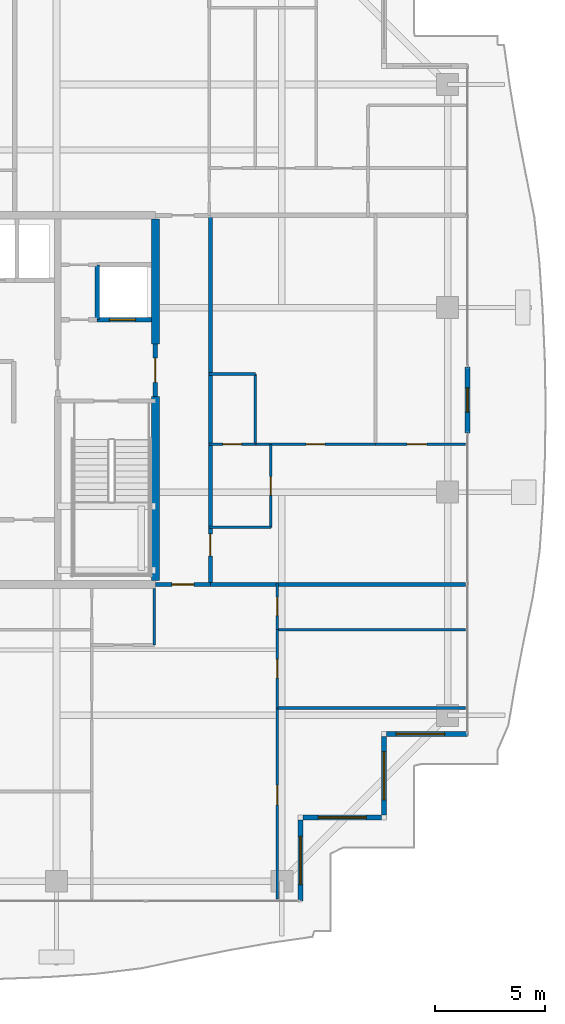
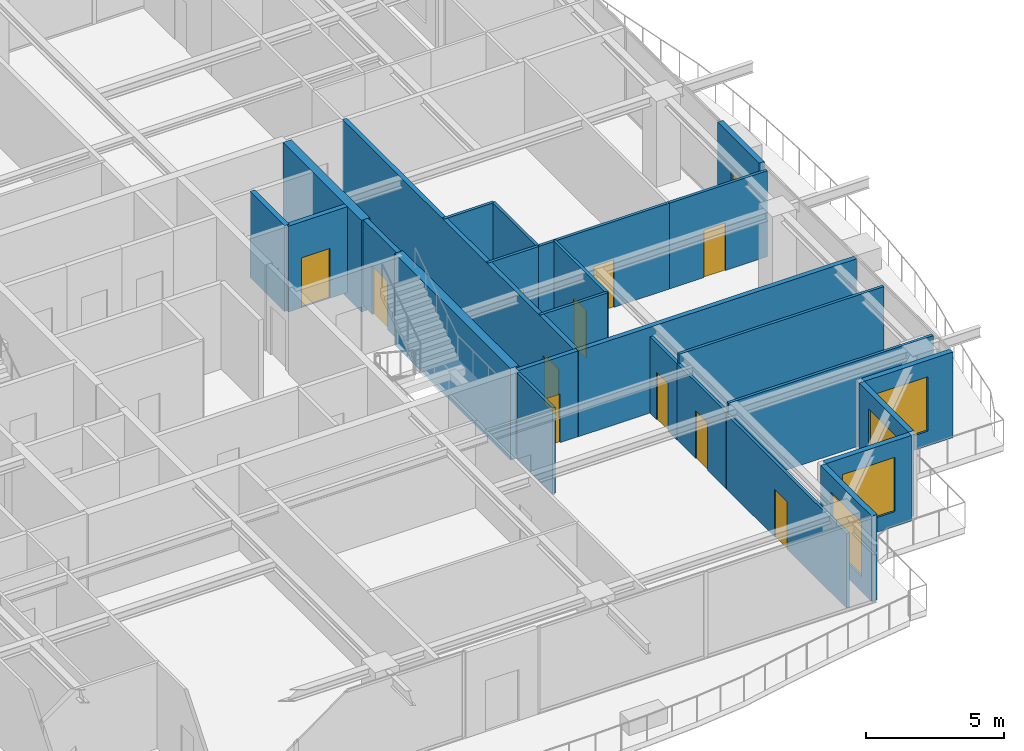
# One storey, part 33 of 42: 26 walls, 12 doors, 4 windows, 16 openings.
"""IFC4 building model written with IfcOpenShell, lengths in metres."""

from ifc_helpers import new_model, si_unit, direction, frame, frame_2d, origin, place, context, subcontext, project, spatial, rectangle, extrude, source, transform, mapped, material, layer, layer_set, type_object, element, fill, save


model = new_model("IFC4")

# Units and contexts
model_context = context("Model", 3, precision=1e-05, world=origin(), true_north=direction((0.0, 1.0)))
body_context = subcontext(model_context, "Body", "Model", "MODEL_VIEW")
ifc_project = project(units=[si_unit("LENGTHUNIT", "METRE"), si_unit("AREAUNIT", "SQUARE_METRE"), si_unit("VOLUMEUNIT", "CUBIC_METRE"), si_unit("PLANEANGLEUNIT", "RADIAN"), si_unit("MASSUNIT", "GRAM", prefix="KILO")], contexts=[model_context])

# Site, building, storey
site_placement = place(None, origin())
site = spatial("IfcSite", under=ifc_project, at=site_placement, CompositionType="ELEMENT")
building_placement = place(site_placement, origin())
building = spatial("IfcBuilding", under=site, at=building_placement, Name="Serunith Strait Residences", CompositionType="ELEMENT")
storey_placement = place(building_placement, frame((0.0, 0.0, 293.449951171875)))
storey = spatial("IfcBuildingStorey", under=building, at=storey_placement, Name="L73", CompositionType="ELEMENT", Elevation=293.449951171875)

# Wall, opening, window
ifc_material_1 = material(Name="Pale-Champagne Aluminium Insulated Panel", Category="aluminium")
ifc_layer_1 = layer(ifc_material_1, 0.219970703125, Name="Pale-Champagne Aluminium Insulated Panel")
ifc_layer_set_1 = layer_set([ifc_layer_1], Name="Pale-Champagne Aluminium Insulated Panel")
wall_type_1 = type_object("IfcWallType", Name="EW-ALUM-220", PredefinedType="ELEMENTEDWALL", material=ifc_layer_set_1)
wall_1_placement = place(storey_placement, frame((48.0, 2.39990234375, 0.0), z_axis=(0.0, 0.0, 1.0), x_axis=(0.0, 1.0, 0.0)))
wall_1 = element("IfcWall", 1, at=wall_1_placement, inside=storey, type_object=wall_type_1, Name="L73 Girih Serrated Corner Wall 02", PredefinedType="ELEMENTEDWALL", context=body_context, shape_type="SweptSolid", body=[
    extrude(rectangle(XDim=3.690185546875, YDim=0.219970703125, at=frame_2d((1.84521484375, 0.0))), origin(), (0.0, 0.0, 1.0), 3.775146484375),
])
opening_1_placement = place(wall_1_placement, frame((0.7451171875, 0.0, 0.64990234375)))
opening_1 = element("IfcOpeningElement", 2, at=opening_1_placement, cuts=wall_1, Name="Opening W-06", PredefinedType="OPENING", context=body_context, shape_type="SweptSolid", body=[
    extrude(rectangle(XDim=2.199951171875, YDim=2.39990234375, at=frame_2d((1.10009765625, 1.199951171875))), frame((0.0, 0.1201171875, 0.0), z_axis=(0.0, -1.0, 0.0), x_axis=(1.0, 0.0, 0.0)), (0.0, 0.0, 1.0), 0.239990234375),
])
ifc_material_2 = material(Name="Crown Penthouse Low-E Operable Window Glass", Category="glass")
window_type = type_object("IfcWindowType", Name="WIN-C6", PartitioningType="TRIPLE_PANEL_VERTICAL", PredefinedType="WINDOW", material=ifc_material_2)
shared_shape_1 = source(origin(), body_context, "Body", "SweptSolid", [
    extrude(rectangle(XDim=2.199951171875, YDim=2.39990234375, at=frame_2d((1.10009765625, 1.199951171875))), frame((0.0, 0.030029296875, 0.0), z_axis=(0.0, -1.0, 0.0), x_axis=(1.0, 0.0, 0.0)), (0.0, 0.0, 1.0), 0.06005859375),
])
window_1_placement = place(opening_1_placement, origin())
window_1 = element("IfcWindow", 3, at=window_1_placement, inside=storey, type_object=window_type, Name="L73 Corner Operable Fritted Window 02", OverallHeight=2.39990234375, OverallWidth=2.199951171875, PartitioningType="SINGLE_PANEL", PredefinedType="WINDOW", context=body_context, shape_type="MappedRepresentation", body=[
    mapped(shared_shape_1, transform((0.0, 0.0, 0.0), scale=1.0)),
])
fill(opening_1, window_1)

wall_2_placement = place(storey_placement, frame((48.110107421875, 6.199951171875, 0.0), z_axis=(0.0, 0.0, 1.0), x_axis=(1.0, 0.0, 0.0)))
wall_2 = element("IfcWall", 4, at=wall_2_placement, inside=storey, type_object=wall_type_1, Name="L73 Girih Serrated Corner Wall 03", PredefinedType="ELEMENTEDWALL", context=body_context, shape_type="SweptSolid", body=[
    extrude(rectangle(XDim=3.579833984375, YDim=0.219970703125, at=frame_2d((1.7900390625, 0.0))), origin(), (0.0, 0.0, 1.0), 3.775146484375),
])
opening_2_placement = place(wall_2_placement, frame((0.68994140625, 0.0, 0.64990234375)))
opening_2 = element("IfcOpeningElement", 5, at=opening_2_placement, cuts=wall_2, Name="Opening W-06", PredefinedType="OPENING", context=body_context, shape_type="SweptSolid", body=[
    extrude(rectangle(XDim=2.199951171875, YDim=2.39990234375, at=frame_2d((1.10009765625, 1.199951171875))), frame((0.0, 0.1201171875, 0.0), z_axis=(0.0, -1.0, 0.0), x_axis=(1.0, 0.0, 0.0)), (0.0, 0.0, 1.0), 0.239990234375),
])
window_2_placement = place(opening_2_placement, origin())
window_2 = element("IfcWindow", 6, at=window_2_placement, inside=storey, type_object=window_type, Name="L73 Corner Operable Fritted Window 03", OverallHeight=2.39990234375, OverallWidth=2.199951171875, PartitioningType="SINGLE_PANEL", PredefinedType="WINDOW", context=body_context, shape_type="MappedRepresentation", body=[
    mapped(shared_shape_1, transform((0.0, 0.0, 0.0), scale=1.0)),
])
fill(opening_2, window_2)

wall_3_placement = place(storey_placement, frame((51.800048828125, 6.31005859375, 0.0), z_axis=(0.0, 0.0, 1.0), x_axis=(0.0, 1.0, 0.0)))
wall_3 = element("IfcWall", 7, at=wall_3_placement, inside=storey, type_object=wall_type_1, Name="L73 Girih Serrated Corner Wall 04", PredefinedType="ELEMENTEDWALL", context=body_context, shape_type="SweptSolid", body=[
    extrude(rectangle(XDim=3.579833984375, YDim=0.219970703125, at=frame_2d((1.7900390625, 0.0))), origin(), (0.0, 0.0, 1.0), 3.775146484375),
])
opening_3_placement = place(wall_3_placement, frame((0.68994140625, 0.0, 0.64990234375)))
opening_3 = element("IfcOpeningElement", 8, at=opening_3_placement, cuts=wall_3, Name="Opening W-06", PredefinedType="OPENING", context=body_context, shape_type="SweptSolid", body=[
    extrude(rectangle(XDim=2.199951171875, YDim=2.39990234375, at=frame_2d((1.10009765625, 1.199951171875))), frame((0.0, 0.1201171875, 0.0), z_axis=(0.0, -1.0, 0.0), x_axis=(1.0, 0.0, 0.0)), (0.0, 0.0, 1.0), 0.239990234375),
])
window_3_placement = place(opening_3_placement, origin())
window_3 = element("IfcWindow", 9, at=window_3_placement, inside=storey, type_object=window_type, Name="L73 Corner Operable Fritted Window 04", OverallHeight=2.39990234375, OverallWidth=2.199951171875, PartitioningType="SINGLE_PANEL", PredefinedType="WINDOW", context=body_context, shape_type="MappedRepresentation", body=[
    mapped(shared_shape_1, transform((0.0, 0.0, 0.0), scale=1.0)),
])
fill(opening_3, window_3)

wall_4_placement = place(storey_placement, frame((51.909912109375, 10.0, 0.0), z_axis=(0.0, 0.0, 1.0), x_axis=(1.0, 0.0, 0.0)))
wall_4 = element("IfcWall", 10, at=wall_4_placement, inside=storey, type_object=wall_type_1, Name="L73 Girih Serrated Corner Wall 05", PredefinedType="ELEMENTEDWALL", context=body_context, shape_type="SweptSolid", body=[
    extrude(rectangle(XDim=3.690185546875, YDim=0.219970703125, at=frame_2d((1.84521484375, 0.0))), origin(), (0.0, 0.0, 1.0), 3.775146484375),
])
opening_4_placement = place(wall_4_placement, frame((0.447021484375, 0.0, 0.64990234375)))
opening_4 = element("IfcOpeningElement", 11, at=opening_4_placement, cuts=wall_4, Name="Opening W-06", PredefinedType="OPENING", context=body_context, shape_type="SweptSolid", body=[
    extrude(rectangle(XDim=2.199951171875, YDim=2.39990234375, at=frame_2d((1.10009765625, 1.199951171875))), frame((0.0, 0.1201171875, 0.0), z_axis=(0.0, -1.0, 0.0), x_axis=(1.0, 0.0, 0.0)), (0.0, 0.0, 1.0), 0.239990234375),
])
window_4_placement = place(opening_4_placement, origin())
window_4 = element("IfcWindow", 12, at=window_4_placement, inside=storey, type_object=window_type, Name="L73 Corner Operable Fritted Window 05", OverallHeight=2.39990234375, OverallWidth=2.199951171875, PartitioningType="SINGLE_PANEL", PredefinedType="WINDOW", context=body_context, shape_type="MappedRepresentation", body=[
    mapped(shared_shape_1, transform((0.0, 0.0, 0.0), scale=1.0)),
])
fill(opening_4, window_4)

# Wall, opening, door
wall_5_placement = place(storey_placement, frame((55.60009765625, 23.699951171875, 0.0), z_axis=(0.0, 0.0, 1.0), x_axis=(0.0, 1.0, 0.0)))
wall_5 = element("IfcWall", 13, at=wall_5_placement, inside=storey, type_object=wall_type_1, Name="L73 E Facade Pier Wall", PredefinedType="ELEMENTEDWALL", context=body_context, shape_type="SweptSolid", body=[
    extrude(rectangle(XDim=3.0, YDim=0.219970703125, at=frame_2d((1.5, 0.0))), origin(), (0.0, 0.0, 1.0), 3.775146484375),
])
opening_5_placement = place(wall_5_placement, frame((0.949951171875, 0.0, 0.0)))
opening_5 = element("IfcOpeningElement", 14, at=opening_5_placement, cuts=wall_5, Name="Opening ED-03", PredefinedType="OPENING", context=body_context, shape_type="SweptSolid", body=[
    extrude(rectangle(XDim=1.10009765625, YDim=2.199951171875, at=frame_2d((0.550048828125, 1.10009765625))), frame((0.0, 0.1201171875, 0.0), z_axis=(0.0, -1.0, 0.0), x_axis=(1.0, 0.0, 0.0)), (0.0, 0.0, 1.0), 0.239990234375),
])
ifc_material_3 = material(Name="Thermally-Broken Aluminium Glazed Balcony Door", Category="aluminium")
door_type_1 = type_object("IfcDoorType", Name="ED-BALC-1100", OperationType="NOTDEFINED", PredefinedType="DOOR", material=ifc_material_3)
shared_shape_2 = source(origin(), body_context, "Body", "SweptSolid", [
    extrude(rectangle(XDim=1.10009765625, YDim=2.199951171875, at=frame_2d((0.550048828125, 1.10009765625))), frame((0.0, 0.02490234375, 0.0), z_axis=(0.0, -1.0, 0.0), x_axis=(1.0, 0.0, 0.0)), (0.0, 0.0, 1.0), 0.050048828125),
])
door_1_placement = place(opening_5_placement, origin())
door_1 = element("IfcDoor", 15, at=door_1_placement, inside=storey, type_object=door_type_1, Name="L73 E Vertical-Forest Balcony Door", OperationType="SINGLE_SWING_RIGHT", OverallHeight=2.199951171875, OverallWidth=1.10009765625, PredefinedType="DOOR", context=body_context, shape_type="MappedRepresentation", body=[
    mapped(shared_shape_2, transform((0.0, 0.0, 0.0), scale=1.0)),
])
fill(opening_5, door_1)

ifc_material_4 = material(Name="Fire-rated acoustic gypsum partition")
ifc_layer_2 = layer(ifc_material_4, 0.179931640625, Name="Fire-rated acoustic gypsum partition")
ifc_layer_set_2 = layer_set([ifc_layer_2], Name="Fire-rated acoustic gypsum partition")
wall_type_2 = type_object("IfcWallType", Name="IW-CORR-180", PredefinedType="PARTITIONING", material=ifc_layer_set_2)
wall_6_placement = place(storey_placement, frame((41.402099609375, 16.800048828125, 0.0), z_axis=(0.0, 0.0, 1.0), x_axis=(1.0, 0.0, 0.0)))
wall_6 = element("IfcWall", 16, at=wall_6_placement, inside=storey, type_object=wall_type_2, Name="L73 Partition Wall 029", PredefinedType="PARTITIONING", context=body_context, shape_type="SweptSolid", body=[
    extrude(rectangle(XDim=2.495849609375, YDim=0.179931640625, at=frame_2d((1.248046875, 0.0))), origin(), (0.0, 0.0, 1.0), 3.7900390625),
])
opening_6_placement = place(wall_6_placement, frame((0.748046875, 0.0, 0.0)))
opening_6 = element("IfcOpeningElement", 17, at=opening_6_placement, cuts=wall_6, Name="Opening D-APT1000", PredefinedType="OPENING", context=body_context, shape_type="SweptSolid", body=[
    extrude(rectangle(XDim=1.0, YDim=2.14990234375, at=frame_2d((0.5, 1.074951171875))), frame((0.0, 0.10009765625, 0.0), z_axis=(0.0, -1.0, 0.0), x_axis=(1.0, 0.0, 0.0)), (0.0, 0.0, 1.0), 0.199951171875),
])
ifc_material_5 = material(Name="Solid timber engineered fire door", Category="wood")
door_type_2 = type_object("IfcDoorType", Name="ID-APT-1000", OperationType="NOTDEFINED", PredefinedType="DOOR", material=ifc_material_5)
shared_shape_3 = source(origin(), body_context, "Body", "SweptSolid", [
    extrude(rectangle(XDim=1.0, YDim=2.14990234375, at=frame_2d((0.5, 1.074951171875))), frame((0.0, 0.02490234375, 0.0), z_axis=(0.0, -1.0, 0.0), x_axis=(1.0, 0.0, 0.0)), (0.0, 0.0, 1.0), 0.050048828125),
])
door_2_placement = place(opening_6_placement, origin())
door_2 = element("IfcDoor", 18, at=door_2_placement, inside=storey, type_object=door_type_2, Name="L73 Unit 02 Entrance Door", OperationType="SINGLE_SWING_RIGHT", OverallHeight=2.14990234375, OverallWidth=1.0, PredefinedType="DOOR", context=body_context, shape_type="MappedRepresentation", body=[
    mapped(shared_shape_3, transform((0.0, 0.0, 0.0), scale=1.0)),
])
fill(opening_6, door_2)

wall_7_placement = place(storey_placement, frame((43.89990234375, 16.800048828125, 0.0), z_axis=(0.0, 0.0, 1.0), x_axis=(0.0, 1.0, 0.0)))
wall_7 = element("IfcWall", 19, at=wall_7_placement, inside=storey, type_object=wall_type_2, Name="L73 Partition Wall 031", PredefinedType="PARTITIONING", context=body_context, shape_type="SweptSolid", body=[
    extrude(rectangle(XDim=16.800048828125, YDim=0.179931640625, at=frame_2d((8.39990234375, 0.0))), origin(), (0.0, 0.0, 1.0), 3.7900390625),
])
opening_7_placement = place(wall_7_placement, frame((1.300048828125, 0.0, 0.0)))
opening_7 = element("IfcOpeningElement", 20, at=opening_7_placement, cuts=wall_7, Name="Opening D-APT1000", PredefinedType="OPENING", context=body_context, shape_type="SweptSolid", body=[
    extrude(rectangle(XDim=1.0, YDim=2.14990234375, at=frame_2d((0.5, 1.074951171875))), frame((0.0, 0.10009765625, 0.0), z_axis=(0.0, -1.0, 0.0), x_axis=(1.0, 0.0, 0.0)), (0.0, 0.0, 1.0), 0.199951171875),
])
door_3_placement = place(opening_7_placement, origin())
door_3 = element("IfcDoor", 21, at=door_3_placement, inside=storey, type_object=door_type_2, Name="L73 Unit 06 Entrance Door", OperationType="SINGLE_SWING_RIGHT", OverallHeight=2.14990234375, OverallWidth=1.0, PredefinedType="DOOR", context=body_context, shape_type="MappedRepresentation", body=[
    mapped(shared_shape_3, transform((0.0, 0.0, 0.0), scale=1.0)),
])
fill(opening_7, door_3)

# Wall
ifc_material_6 = material(Name="Lightweight steel-stud gypsum partition", Category="steel")
ifc_layer_3 = layer(ifc_material_6, 0.1201171875, Name="Lightweight steel-stud gypsum partition")
ifc_layer_set_3 = layer_set([ifc_layer_3], Name="Lightweight steel-stud gypsum partition")
wall_type_3 = type_object("IfcWallType", Name="IW-PART-120", PredefinedType="PARTITIONING", material=ifc_layer_set_3)
wall_8_placement = place(storey_placement, frame((41.35009765625, 14.050048828125, 0.0), z_axis=(0.0, 0.0, 1.0), x_axis=(0.0, 1.0, 0.0)))
element("IfcWall", 22, at=wall_8_placement, inside=storey, type_object=wall_type_3, Name="L73 Partition Wall 046", PredefinedType="PARTITIONING", context=body_context, shape_type="SweptSolid", body=[
    extrude(rectangle(XDim=2.574951171875, YDim=0.1201171875, at=frame_2d((1.28759765625, 0.0))), origin(), (0.0, 0.0, 1.0), 3.7900390625),
])

# Wall, opening, door
wall_9_placement = place(storey_placement, frame((46.949951171875, 2.4951171875, 0.0), z_axis=(0.0, 0.0, 1.0), x_axis=(0.0, 1.0, 0.0)))
wall_9 = element("IfcWall", 23, at=wall_9_placement, inside=storey, type_object=wall_type_3, Name="L73 Partition Wall 052", PredefinedType="PARTITIONING", context=body_context, shape_type="SweptSolid", body=[
    extrude(rectangle(XDim=8.68798828125, YDim=0.1201171875, at=frame_2d((4.343994140625, 0.0))), origin(), (0.0, 0.0, 1.0), 3.2919921875),
])
opening_8_placement = place(wall_9_placement, frame((4.282958984375, 0.0, 0.0)))
opening_8 = element("IfcOpeningElement", 24, at=opening_8_placement, cuts=wall_9, Name="Opening D-RM900", PredefinedType="OPENING", context=body_context, shape_type="SweptSolid", body=[
    extrude(rectangle(XDim=0.89990234375, YDim=2.10009765625, at=frame_2d((0.449951171875, 1.050048828125))), frame((0.0, 0.070068359375, 0.0), z_axis=(0.0, -1.0, 0.0), x_axis=(1.0, 0.0, 0.0)), (0.0, 0.0, 1.0), 0.14013671875),
])
ifc_material_7 = material(Name="Engineered timber flush bedroom door", Category="wood")
door_type_3 = type_object("IfcDoorType", Name="ID-ROOM-900", OperationType="NOTDEFINED", PredefinedType="DOOR", material=ifc_material_7)
shared_shape_4 = source(origin(), body_context, "Body", "SweptSolid", [
    extrude(rectangle(XDim=0.89990234375, YDim=2.10009765625, at=frame_2d((0.449951171875, 1.050048828125))), frame((0.0, 0.02490234375, 0.0), z_axis=(0.0, -1.0, 0.0), x_axis=(1.0, 0.0, 0.0)), (0.0, 0.0, 1.0), 0.050048828125),
])
door_4_placement = place(opening_8_placement, origin())
door_4 = element("IfcDoor", 25, at=door_4_placement, inside=storey, type_object=door_type_3, Name="L73 Bedroom 2 7302 Door", OperationType="SINGLE_SWING_RIGHT", OverallHeight=2.10009765625, OverallWidth=0.89990234375, PredefinedType="DOOR", context=body_context, shape_type="MappedRepresentation", body=[
    mapped(shared_shape_4, transform((0.0, 0.0, 0.0), scale=1.0)),
])
fill(opening_8, door_4)

# Walls
for number, where, z_axis, x_axis, name in (
    (26, (46.949951171875, 11.18310546875, 0.0), (0.0, 0.0, 1.0), (1.0, 0.0, 0.0), "L73 Partition Wall 053"),
    (27, (46.949951171875, 14.75, 0.0), (0.0, 0.0, 1.0), (1.0, 0.0, 0.0), "L73 Partition Wall 054"),
):
    element("IfcWall", number, at=place(storey_placement, frame(where, z_axis=z_axis, x_axis=x_axis)), inside=storey, type_object=wall_type_3, Name=name, PredefinedType="PARTITIONING", context=body_context, shape_type="SweptSolid", body=[
        extrude(rectangle(XDim=8.554931640625, YDim=0.1201171875, at=frame_2d((4.27734375, 0.0))), origin(), (0.0, 0.0, 1.0), 3.7900390625),
    ])

# Wall, opening, door
wall_10_placement = place(storey_placement, frame((46.949951171875, 11.18505859375, 0.0), z_axis=(0.0, 0.0, 1.0), x_axis=(0.0, 1.0, 0.0)))
wall_10 = element("IfcWall", 28, at=wall_10_placement, inside=storey, type_object=wall_type_3, Name="L73 Partition Wall 055", PredefinedType="PARTITIONING", context=body_context, shape_type="SweptSolid", body=[
    extrude(rectangle(XDim=3.56494140625, YDim=0.1201171875, at=frame_2d((1.782470703125, 0.0))), origin(), (0.0, 0.0, 1.0), 3.3720703125),
])
opening_9_placement = place(wall_10_placement, frame((1.35693359375, 0.0, 0.0)))
opening_9 = element("IfcOpeningElement", 29, at=opening_9_placement, cuts=wall_10, Name="Opening D-RM850", PredefinedType="OPENING", context=body_context, shape_type="SweptSolid", body=[
    extrude(rectangle(XDim=0.85009765625, YDim=2.10009765625, at=frame_2d((0.425048828125, 1.050048828125))), frame((0.0, 0.070068359375, 0.0), z_axis=(0.0, -1.0, 0.0), x_axis=(1.0, 0.0, 0.0)), (0.0, 0.0, 1.0), 0.14013671875),
])
ifc_material_8 = material(Name="Engineered timber flush study and kitchen door", Category="wood")
door_type_4 = type_object("IfcDoorType", Name="ID-ROOM-850", OperationType="NOTDEFINED", PredefinedType="DOOR", material=ifc_material_8)
shared_shape_5 = source(origin(), body_context, "Body", "SweptSolid", [
    extrude(rectangle(XDim=0.85009765625, YDim=2.10009765625, at=frame_2d((0.425048828125, 1.050048828125))), frame((0.0, 0.02490234375, 0.0), z_axis=(0.0, -1.0, 0.0), x_axis=(1.0, 0.0, 0.0)), (0.0, 0.0, 1.0), 0.050048828125),
])
door_5_placement = place(opening_9_placement, origin())
door_5 = element("IfcDoor", 30, at=door_5_placement, inside=storey, type_object=door_type_4, Name="L73 Walk-in Wardrobe 7302 Door", OperationType="SINGLE_SWING_LEFT", OverallHeight=2.10009765625, OverallWidth=0.85009765625, PredefinedType="DOOR", context=body_context, shape_type="MappedRepresentation", body=[
    mapped(shared_shape_5, transform((0.0, 0.0, 0.0), scale=1.0)),
])
fill(opening_9, door_5)

wall_11_placement = place(storey_placement, frame((46.949951171875, 14.751953125, 0.0), z_axis=(0.0, 0.0, 1.0), x_axis=(0.0, 1.0, 0.0)))
wall_11 = element("IfcWall", 31, at=wall_11_placement, inside=storey, type_object=wall_type_3, Name="L73 Partition Wall 056", PredefinedType="PARTITIONING", context=body_context, shape_type="SweptSolid", body=[
    extrude(rectangle(XDim=2.108154296875, YDim=0.1201171875, at=frame_2d((1.05419921875, 0.0))), origin(), (0.0, 0.0, 1.0), 3.3720703125),
])
opening_10_placement = place(wall_11_placement, frame((0.62890625, 0.0, 0.0)))
opening_10 = element("IfcOpeningElement", 32, at=opening_10_placement, cuts=wall_11, Name="Opening D-BTH850", PredefinedType="OPENING", context=body_context, shape_type="SweptSolid", body=[
    extrude(rectangle(XDim=0.85009765625, YDim=2.10009765625, at=frame_2d((0.425048828125, 1.050048828125))), frame((0.0, 0.070068359375, 0.0), z_axis=(0.0, -1.0, 0.0), x_axis=(1.0, 0.0, 0.0)), (0.0, 0.0, 1.0), 0.14013671875),
])
ifc_material_9 = material(Name="Moisture-resistant timber bathroom door", Category="wood")
door_type_5 = type_object("IfcDoorType", Name="ID-BATH-850", OperationType="NOTDEFINED", PredefinedType="DOOR", material=ifc_material_9)
door_6_placement = place(opening_10_placement, origin())
door_6 = element("IfcDoor", 33, at=door_6_placement, inside=storey, type_object=door_type_5, Name="L73 Bathroom 7302 Door", OperationType="SINGLE_SWING_RIGHT", OverallHeight=2.10009765625, OverallWidth=0.85009765625, PredefinedType="DOOR", context=body_context, shape_type="MappedRepresentation", body=[
    mapped(shared_shape_5, transform((0.0, 0.0, 0.0), scale=1.0)),
])
fill(opening_10, door_6)

wall_12_placement = place(storey_placement, frame((46.64990234375, 19.39990234375, 0.0), z_axis=(0.0, 0.0, 1.0), x_axis=(0.0, 1.0, 0.0)))
wall_12 = element("IfcWall", 34, at=wall_12_placement, inside=storey, type_object=wall_type_3, Name="L73 Partition Wall 090", PredefinedType="PARTITIONING", context=body_context, shape_type="SweptSolid", body=[
    extrude(rectangle(XDim=3.780029296875, YDim=0.1201171875, at=frame_2d((1.89013671875, 0.0))), origin(), (0.0, 0.0, 1.0), 3.7900390625),
])
opening_11_placement = place(wall_12_placement, frame((1.465087890625, 0.0, 0.0)))
opening_11 = element("IfcOpeningElement", 35, at=opening_11_placement, cuts=wall_12, Name="Opening D-RM850", PredefinedType="OPENING", context=body_context, shape_type="SweptSolid", body=[
    extrude(rectangle(XDim=0.85009765625, YDim=2.10009765625, at=frame_2d((0.425048828125, 1.050048828125))), frame((0.0, 0.070068359375, 0.0), z_axis=(0.0, -1.0, 0.0), x_axis=(1.0, 0.0, 0.0)), (0.0, 0.0, 1.0), 0.14013671875),
])
door_7_placement = place(opening_11_placement, origin())
door_7 = element("IfcDoor", 36, at=door_7_placement, inside=storey, type_object=door_type_4, Name="L73 Kitchen 7306 Door", OperationType="SINGLE_SWING_LEFT", OverallHeight=2.10009765625, OverallWidth=0.85009765625, PredefinedType="DOOR", context=body_context, shape_type="MappedRepresentation", body=[
    mapped(shared_shape_5, transform((0.0, 0.0, 0.0), scale=1.0)),
])
fill(opening_11, door_7)

# Wall
wall_13_placement = place(storey_placement, frame((46.64990234375, 19.39990234375, 0.0), z_axis=(0.0, 0.0, 1.0), x_axis=(-1.0, 0.0, 0.0)))
element("IfcWall", 37, at=wall_13_placement, inside=storey, type_object=wall_type_3, Name="L73 Partition Wall 091", PredefinedType="PARTITIONING", context=body_context, shape_type="SweptSolid", body=[
    extrude(rectangle(XDim=2.809814453125, YDim=0.1201171875, at=frame_2d((1.40478515625, 0.0))), origin(), (0.0, 0.0, 1.0), 3.7900390625),
])

# Wall, opening, door
wall_14_placement = place(storey_placement, frame((55.5048828125, 23.179931640625, 0.0), z_axis=(0.0, 0.0, 1.0), x_axis=(-1.0, 0.0, 0.0)))
wall_14 = element("IfcWall", 38, at=wall_14_placement, inside=storey, type_object=wall_type_3, Name="L73 Partition Wall 092", PredefinedType="PARTITIONING", context=body_context, shape_type="SweptSolid", body=[
    extrude(rectangle(XDim=4.093994140625, YDim=0.1201171875, at=frame_2d((2.046875, 0.0))), origin(), (0.0, 0.0, 1.0), 3.7900390625),
])
opening_12_placement = place(wall_14_placement, frame((1.757080078125, 0.0, 0.0)))
opening_12 = element("IfcOpeningElement", 39, at=opening_12_placement, cuts=wall_14, Name="Opening D-RM900", PredefinedType="OPENING", context=body_context, shape_type="SweptSolid", body=[
    extrude(rectangle(XDim=0.89990234375, YDim=2.10009765625, at=frame_2d((0.449951171875, 1.050048828125))), frame((0.0, 0.070068359375, 0.0), z_axis=(0.0, -1.0, 0.0), x_axis=(1.0, 0.0, 0.0)), (0.0, 0.0, 1.0), 0.14013671875),
])
door_8_placement = place(opening_12_placement, origin())
door_8 = element("IfcDoor", 40, at=door_8_placement, inside=storey, type_object=door_type_3, Name="L73 Master Bedroom 1 7306 Door", OperationType="SINGLE_SWING_RIGHT", OverallHeight=2.10009765625, OverallWidth=0.89990234375, PredefinedType="DOOR", context=body_context, shape_type="MappedRepresentation", body=[
    mapped(shared_shape_4, transform((0.0, 0.0, 0.0), scale=1.0)),
])
fill(opening_12, door_8)

# Walls
wall_15_placement = place(storey_placement, frame((45.949951171875, 23.179931640625, 0.0), z_axis=(0.0, 0.0, 1.0), x_axis=(0.0, 1.0, 0.0)))
element("IfcWall", 41, at=wall_15_placement, inside=storey, type_object=wall_type_3, Name="L73 Partition Wall 094", PredefinedType="PARTITIONING", context=body_context, shape_type="SweptSolid", body=[
    extrude(rectangle(XDim=3.199951171875, YDim=0.1201171875, at=frame_2d((1.60009765625, 0.0))), origin(), (0.0, 0.0, 1.0), 3.7900390625),
])
wall_16_placement = place(storey_placement, frame((45.949951171875, 26.3798828125, 0.0), z_axis=(0.0, 0.0, 1.0), x_axis=(-1.0, 0.0, 0.0)))
element("IfcWall", 42, at=wall_16_placement, inside=storey, type_object=wall_type_3, Name="L73 Partition Wall 095", PredefinedType="PARTITIONING", context=body_context, shape_type="SweptSolid", body=[
    extrude(rectangle(XDim=2.10986328125, YDim=0.1201171875, at=frame_2d((1.054931640625, 0.0))), origin(), (0.0, 0.0, 1.0), 3.7900390625),
])

# Wall, opening, door
wall_17_placement = place(storey_placement, frame((51.408935546875, 23.179931640625, 0.0), z_axis=(0.0, 0.0, 1.0), x_axis=(-1.0, 0.0, 0.0)))
wall_17 = element("IfcWall", 43, at=wall_17_placement, inside=storey, type_object=wall_type_3, Name="L73 Partition Wall 096", PredefinedType="PARTITIONING", context=body_context, shape_type="SweptSolid", body=[
    extrude(rectangle(XDim=5.458984375, YDim=0.1201171875, at=frame_2d((2.7294921875, 0.0))), origin(), (0.0, 0.0, 1.0), 3.7900390625),
])
opening_13_placement = place(wall_17_placement, frame((2.303955078125, 0.0, 0.0)))
opening_13 = element("IfcOpeningElement", 44, at=opening_13_placement, cuts=wall_17, Name="Opening D-RM850", PredefinedType="OPENING", context=body_context, shape_type="SweptSolid", body=[
    extrude(rectangle(XDim=0.85009765625, YDim=2.10009765625, at=frame_2d((0.425048828125, 1.050048828125))), frame((0.0, 0.070068359375, 0.0), z_axis=(0.0, -1.0, 0.0), x_axis=(1.0, 0.0, 0.0)), (0.0, 0.0, 1.0), 0.14013671875),
])
door_9_placement = place(opening_13_placement, origin())
door_9 = element("IfcDoor", 45, at=door_9_placement, inside=storey, type_object=door_type_4, Name="L73 Walk-in Wardrobe 7306 Door", OperationType="SINGLE_SWING_LEFT", OverallHeight=2.10009765625, OverallWidth=0.85009765625, PredefinedType="DOOR", context=body_context, shape_type="MappedRepresentation", body=[
    mapped(shared_shape_5, transform((0.0, 0.0, 0.0), scale=1.0)),
])
fill(opening_13, door_9)

wall_18_placement = place(storey_placement, frame((45.947998046875, 23.179931640625, 0.0), z_axis=(0.0, 0.0, 1.0), x_axis=(-1.0, 0.0, 0.0)))
wall_18 = element("IfcWall", 46, at=wall_18_placement, inside=storey, type_object=wall_type_3, Name="L73 Partition Wall 097", PredefinedType="PARTITIONING", context=body_context, shape_type="SweptSolid", body=[
    extrude(rectangle(XDim=2.10791015625, YDim=0.1201171875, at=frame_2d((1.053955078125, 0.0))), origin(), (0.0, 0.0, 1.0), 3.7900390625),
])
opening_14_placement = place(wall_18_placement, frame((0.62890625, 0.0, 0.0)))
opening_14 = element("IfcOpeningElement", 47, at=opening_14_placement, cuts=wall_18, Name="Opening D-BTH850", PredefinedType="OPENING", context=body_context, shape_type="SweptSolid", body=[
    extrude(rectangle(XDim=0.85009765625, YDim=2.10009765625, at=frame_2d((0.425048828125, 1.050048828125))), frame((0.0, 0.070068359375, 0.0), z_axis=(0.0, -1.0, 0.0), x_axis=(1.0, 0.0, 0.0)), (0.0, 0.0, 1.0), 0.14013671875),
])
door_10_placement = place(opening_14_placement, origin())
door_10 = element("IfcDoor", 48, at=door_10_placement, inside=storey, type_object=door_type_5, Name="L73 Bathroom 7306 Door", OperationType="SINGLE_SWING_RIGHT", OverallHeight=2.10009765625, OverallWidth=0.85009765625, PredefinedType="DOOR", context=body_context, shape_type="MappedRepresentation", body=[
    mapped(shared_shape_5, transform((0.0, 0.0, 0.0), scale=1.0)),
])
fill(opening_14, door_10)

# Wall
ifc_material_10 = material(Name="Twin-stud acoustic gypsum board partition")
ifc_layer_4 = layer(ifc_material_10, 0.199951171875, Name="Twin-stud acoustic gypsum board partition")
ifc_layer_set_4 = layer_set([ifc_layer_4], Name="Twin-stud acoustic gypsum board partition")
wall_type_4 = type_object("IfcWallType", Name="IW-PARTY-200", PredefinedType="PARTITIONING", material=ifc_layer_set_4)
wall_19_placement = place(storey_placement, frame((43.89990234375, 16.800048828125, 0.0), z_axis=(0.0, 0.0, 1.0), x_axis=(1.0, 0.0, 0.0)))
element("IfcWall", 49, at=wall_19_placement, inside=storey, type_object=wall_type_4, Name="L73 Partition Wall 023", PredefinedType="PARTITIONING", context=body_context, shape_type="SweptSolid", body=[
    extrude(rectangle(XDim=11.6181640625, YDim=0.199951171875, at=frame_2d((5.80908203125, 0.0))), origin(), (0.0, 0.0, 1.0), 3.7900390625),
])

# Wall, opening, door
ifc_material_11 = material(Name="Autoclaved aerated concrete blockwork", Category="masonry")
ifc_layer_5 = layer(ifc_material_11, 0.199951171875, Name="Autoclaved aerated concrete blockwork")
ifc_layer_set_5 = layer_set([ifc_layer_5], Name="Autoclaved aerated concrete blockwork")
wall_type_5 = type_object("IfcWallType", Name="IW-SHAFT-200", PredefinedType="STANDARD", material=ifc_layer_set_5)
wall_20_placement = place(storey_placement, frame((38.75, 28.85009765625, 0.0), z_axis=(0.0, 0.0, 1.0), x_axis=(1.0, 0.0, 0.0)))
wall_20 = element("IfcWall", 50, at=wall_20_placement, inside=storey, type_object=wall_type_5, Name="L73 FL-2 South Shaft Wall", PredefinedType="STANDARD", context=body_context, shape_type="SweptSolid", body=[
    extrude(rectangle(XDim=2.47509765625, YDim=0.199951171875, at=frame_2d((1.237548828125, 0.0))), origin(), (0.0, 0.0, 1.0), 3.7900390625),
])
opening_15_placement = place(wall_20_placement, frame((0.550048828125, 0.0, 0.0)))
opening_15 = element("IfcOpeningElement", 51, at=opening_15_placement, cuts=wall_20, Name="Opening LD-FF1200", PredefinedType="OPENING", context=body_context, shape_type="SweptSolid", body=[
    extrude(rectangle(XDim=1.199951171875, YDim=2.199951171875, at=frame_2d((0.60009765625, 1.10009765625))), frame((0.0, 0.10986328125, 0.0), z_axis=(0.0, -1.0, 0.0), x_axis=(1.0, 0.0, 0.0)), (0.0, 0.0, 1.0), 0.219970703125),
])
ifc_material_12 = material(Name="Brushed stainless steel landing door", Category="steel")
door_type_6 = type_object("IfcDoorType", Name="LD-FF-1200", OperationType="DOUBLE_DOOR_SLIDING", PredefinedType="DOOR", material=ifc_material_12)
shared_shape_6 = source(origin(), body_context, "Body", "SweptSolid", [
    extrude(rectangle(XDim=1.199951171875, YDim=2.199951171875, at=frame_2d((0.60009765625, 1.10009765625))), frame((0.0, 0.02490234375, 0.0), z_axis=(0.0, -1.0, 0.0), x_axis=(1.0, 0.0, 0.0)), (0.0, 0.0, 1.0), 0.050048828125),
])
door_11_placement = place(opening_15_placement, origin())
door_11 = element("IfcDoor", 52, at=door_11_placement, inside=storey, type_object=door_type_6, Name="L73 FL-2 Landing Door", OperationType="DOUBLE_DOOR_SLIDING", OverallHeight=2.199951171875, OverallWidth=1.199951171875, PredefinedType="DOOR", context=body_context, shape_type="MappedRepresentation", body=[
    mapped(shared_shape_6, transform((0.0, 0.0, 0.0), scale=1.0)),
])
fill(opening_15, door_11)

# Wall
wall_21_placement = place(storey_placement, frame((38.75, 28.85009765625, 0.0), z_axis=(0.0, 0.0, 1.0), x_axis=(0.0, 1.0, 0.0)))
element("IfcWall", 53, at=wall_21_placement, inside=storey, type_object=wall_type_5, Name="L73 Partition Wall 004", PredefinedType="STANDARD", context=body_context, shape_type="SweptSolid", body=[
    extrude(rectangle(XDim=2.5, YDim=0.199951171875, at=frame_2d((1.25, 0.0))), origin(), (0.0, 0.0, 1.0), 3.7900390625),
])

# Wall, opening, door
wall_22_placement = place(storey_placement, frame((41.39990234375, 25.35205078125, 0.0), z_axis=(0.0, 0.0, 1.0), x_axis=(0.0, 1.0, 0.0)))
wall_22 = element("IfcWall", 54, at=wall_22_placement, inside=storey, type_object=wall_type_5, Name="L73 Partition Wall 008", PredefinedType="STANDARD", context=body_context, shape_type="SweptSolid", body=[
    extrude(rectangle(XDim=2.39599609375, YDim=0.199951171875, at=frame_2d((1.197998046875, 0.0))), origin(), (0.0, 0.0, 1.0), 3.7900390625),
])
opening_16_placement = place(wall_22_placement, frame((0.64794921875, 0.0, 0.0)))
opening_16 = element("IfcOpeningElement", 55, at=opening_16_placement, cuts=wall_22, Name="Opening FD-FFL", PredefinedType="OPENING", context=body_context, shape_type="SweptSolid", body=[
    extrude(rectangle(XDim=1.10009765625, YDim=2.14990234375, at=frame_2d((0.550048828125, 1.074951171875))), frame((0.0, 0.10986328125, 0.0), z_axis=(0.0, -1.0, 0.0), x_axis=(1.0, 0.0, 0.0)), (0.0, 0.0, 1.0), 0.219970703125),
])
ifc_material_13 = material(Name="Glazed steel smoke-lobby fire door", Category="steel")
door_type_7 = type_object("IfcDoorType", Name="FD-FFL-1100", OperationType="NOTDEFINED", PredefinedType="DOOR", material=ifc_material_13)
shared_shape_7 = source(origin(), body_context, "Body", "SweptSolid", [
    extrude(rectangle(XDim=1.10009765625, YDim=2.14990234375, at=frame_2d((0.550048828125, 1.074951171875))), frame((0.0, 0.02490234375, 0.0), z_axis=(0.0, -1.0, 0.0), x_axis=(1.0, 0.0, 0.0)), (0.0, 0.0, 1.0), 0.050048828125),
])
door_12_placement = place(opening_16_placement, origin())
door_12 = element("IfcDoor", 56, at=door_12_placement, inside=storey, type_object=door_type_7, Name="L73 FFL-2 Corridor Fire Door", OperationType="SINGLE_SWING_LEFT", OverallHeight=2.14990234375, OverallWidth=1.10009765625, PredefinedType="DOOR", context=body_context, shape_type="MappedRepresentation", body=[
    mapped(shared_shape_7, transform((0.0, 0.0, 0.0), scale=1.0)),
])
fill(opening_16, door_12)

# Walls
ifc_material_14 = material(Name="Concrete C60/75", Category="concrete")
ifc_layer_6 = layer(ifc_material_14, 0.35009765625, Name="Concrete C60/75")
ifc_layer_set_6 = layer_set([ifc_layer_6], Name="Concrete C60/75")
wall_type_6 = type_object("IfcWallType", Name="SW-350-C60", PredefinedType="SHEAR", material=ifc_layer_set_6)
wall_23_placement = place(storey_placement, frame((41.39990234375, 16.97509765625, -0.260009765625), z_axis=(0.0, 0.0, 1.0), x_axis=(0.0, 1.0, 0.0)))
element("IfcWall", 57, at=wall_23_placement, inside=storey, type_object=wall_type_6, Name="L73 Core East Shear Wall South Pier", PredefinedType="SHEAR", context=body_context, shape_type="SweptSolid", body=[
    extrude(rectangle(XDim=8.375, YDim=0.35009765625, at=frame_2d((4.1875, 0.0))), origin(), (0.0, 0.0, 1.0), 4.048095703125),
])
wall_24_placement = place(storey_placement, frame((41.39990234375, 27.75, -0.260009765625), z_axis=(0.0, 0.0, 1.0), x_axis=(0.0, 1.0, 0.0)))
element("IfcWall", 58, at=wall_24_placement, inside=storey, type_object=wall_type_6, Name="L73 Core East Shear Wall North Pier", PredefinedType="SHEAR", context=body_context, shape_type="SweptSolid", body=[
    extrude(rectangle(XDim=5.675048828125, YDim=0.35009765625, at=frame_2d((2.83740234375, 0.0))), origin(), (0.0, 0.0, 1.0), 4.048095703125),
])

save(model, "model.ifc")
